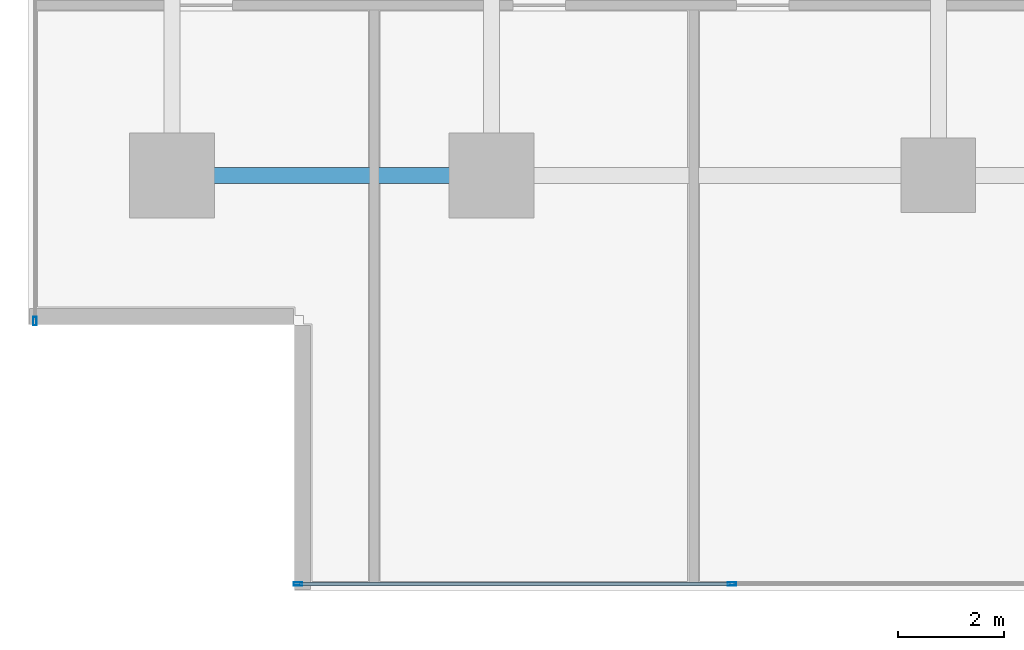
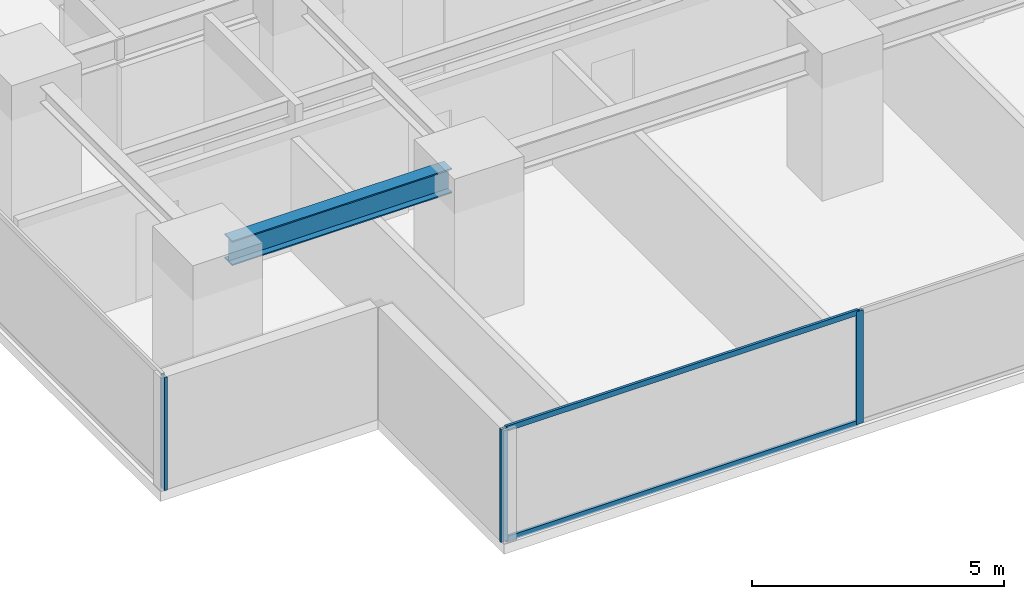
# One storey, part 2 of 37: 5 members, 1 beam, 2 elements without a shape of their own.
"""IFC4 building model written with IfcOpenShell, lengths in metres."""

from ifc_helpers import new_model, si_unit, direction, frame, origin, origin_2d, place, context, subcontext, project, spatial, hollow_rectangle, i_section, extrude, source, transform, mapped, material, layer, layer_set, material_profile, profile_set, type_object, element, aggregate, save


model = new_model("IFC4")

# Units and contexts
model_context = context("Model", 3, precision=1e-05, world=origin(), true_north=direction((0.0, 1.0)))
body_context = subcontext(model_context, "Body", "Model", "MODEL_VIEW")
ifc_project = project(units=[si_unit("LENGTHUNIT", "METRE"), si_unit("AREAUNIT", "SQUARE_METRE"), si_unit("VOLUMEUNIT", "CUBIC_METRE"), si_unit("PLANEANGLEUNIT", "RADIAN"), si_unit("MASSUNIT", "GRAM", prefix="KILO")], contexts=[model_context])

# Site, building, storey
site_placement = place(None, origin())
site = spatial("IfcSite", under=ifc_project, at=site_placement, CompositionType="ELEMENT")
building_placement = place(site_placement, origin())
building = spatial("IfcBuilding", under=site, at=building_placement, Name="Sumidabori Civic Tower", CompositionType="ELEMENT")
storey_placement = place(building_placement, frame((0.0, 0.0, 117.199951171875)))
storey = spatial("IfcBuildingStorey", under=building, at=storey_placement, Name="L30", CompositionType="ELEMENT", Elevation=117.199951171875)

# Beam
ifc_material_1 = material(Name="Steel SN490", Category="steel")
ifc_material_profile_1 = material_profile(ifc_material_1, i_section(OverallWidth=0.300048828125, OverallDepth=0.60009765625, WebThickness=0.015380859375, FlangeThickness=0.030029296875, at=origin_2d()), Name="HE 600 B")
ifc_profile_set_1 = profile_set([ifc_material_profile_1], Name="Steel SN490")
beam_type = type_object("IfcBeamType", Name="BM-GIRD-600", PredefinedType="BEAM", material=ifc_profile_set_1)
shared_shape_1 = source(origin(), body_context, "Body", "SweptSolid", [
    extrude(i_section(OverallWidth=0.300048828125, OverallDepth=0.60009765625, WebThickness=0.015380859375, FlangeThickness=0.030029296875, at=origin_2d()), origin(), (0.0, 0.0, 1.0), 5.0400390625),
])
beam_placement = place(storey_placement, frame((-22.320068359375, -18.0, 3.06005859375), z_axis=(1.0, 0.0, 0.0), x_axis=(0.0, 1.0, 0.0)))
element("IfcBeam", 1, at=beam_placement, inside=storey, type_object=beam_type, Name="Primary Girder L30 GX-01", PredefinedType="BEAM", context=body_context, shape_type="MappedRepresentation", body=[
    mapped(shared_shape_1, transform((0.0, 0.0, 0.0), x_axis=(1.0, 0.0, 0.0), y_axis=(0.0, 1.0, 0.0), z_axis=(0.0, 0.0, 1.0), scale=1.0)),
])

# Curtain wall, members
ifc_material_2 = material(Name="Anodised Bronze Aluminium AW-6063-T6", Category="aluminium")
ifc_layer = layer(ifc_material_2, 0.179931640625, Name="Anodised Bronze Aluminium AW-6063-T6")
ifc_layer_set = layer_set([ifc_layer], Name="Anodised Bronze Aluminium AW-6063-T6")
curtain_wall_type = type_object("IfcCurtainWallType", Name="CW-SYS-3", PredefinedType="NOTDEFINED", material=ifc_layer_set)
curtain_wall_1_placement = place(storey_placement, origin())
curtain_wall_1 = element("IfcCurtainWall", 2, at=curtain_wall_1_placement, inside=storey, type_object=curtain_wall_type, Name="Curtain Wall CW:L30:R01", PredefinedType="NOTDEFINED")
ifc_material_profile_2 = material_profile(ifc_material_2, hollow_rectangle(XDim=0.06494140625, YDim=0.159912109375, WallThickness=0.0048828125, at=origin_2d()), Name="ALU MULLION 160x65")
ifc_profile_set_2 = profile_set([ifc_material_profile_2], Name="Anodised Bronze Aluminium AW-6063-T6")
member_type_1 = type_object("IfcMemberType", Name="CW-MUL-160", PredefinedType="MULLION", material=ifc_profile_set_2)
shared_shape_2 = source(origin(), body_context, "Body", "SweptSolid", [
    extrude(hollow_rectangle(XDim=0.06494140625, YDim=0.159912109375, WallThickness=0.0048828125, at=origin_2d()), origin(), (0.0, 0.0, 1.0), 2.739990234375),
])
member_1_placement = place(storey_placement, frame((-20.4375, -25.679931640625, 0.0), z_axis=(0.0, 0.0, 1.0), x_axis=(0.0, 1.0, 0.0)))
member_1 = element("IfcMember", 3, at=member_1_placement, type_object=member_type_1, Name="CW-3 mullion 1", PredefinedType="MULLION", context=body_context, shape_type="MappedRepresentation", body=[
    mapped(shared_shape_2, transform((0.0, 0.0, 0.0), x_axis=(1.0, 0.0, 0.0), y_axis=(0.0, 1.0, 0.0), z_axis=(0.0, 0.0, 1.0), scale=1.0)),
])
member_2_placement = place(storey_placement, frame((-12.281982421875, -25.679931640625, 0.0), z_axis=(0.0, 0.0, 1.0), x_axis=(0.0, 1.0, 0.0)))
member_2 = element("IfcMember", 4, at=member_2_placement, type_object=member_type_1, Name="CW-3 mullion 2", PredefinedType="MULLION", context=body_context, shape_type="MappedRepresentation", body=[
    mapped(shared_shape_2, transform((0.0, 0.0, 0.0), x_axis=(1.0, 0.0, 0.0), y_axis=(0.0, 1.0, 0.0), z_axis=(0.0, 0.0, 1.0), scale=1.0)),
])

# Curtain wall, member
curtain_wall_2_placement = place(storey_placement, origin())
curtain_wall_2 = element("IfcCurtainWall", 5, at=curtain_wall_2_placement, inside=storey, type_object=curtain_wall_type, Name="Curtain Wall CW:L30:R10", PredefinedType="NOTDEFINED")
member_3_placement = place(storey_placement, frame((-25.3798828125, -20.737548828125, 0.0), z_axis=(0.0, 0.0, 1.0), x_axis=(1.0, 0.0, 0.0)))
member_3 = element("IfcMember", 6, at=member_3_placement, type_object=member_type_1, Name="CW-3 mullion 6", PredefinedType="MULLION", context=body_context, shape_type="MappedRepresentation", body=[
    mapped(shared_shape_2, transform((0.0, 0.0, 0.0), x_axis=(1.0, 0.0, 0.0), y_axis=(0.0, 1.0, 0.0), z_axis=(0.0, 0.0, 1.0), scale=1.0)),
])
aggregate(curtain_wall_2, [member_3])

# Member
ifc_material_profile_3 = material_profile(ifc_material_2, hollow_rectangle(XDim=0.06005859375, YDim=0.1298828125, WallThickness=0.0048828125, at=origin_2d()), Name="ALU TRANSOM 130x60")
ifc_profile_set_3 = profile_set([ifc_material_profile_3], Name="Anodised Bronze Aluminium AW-6063-T6")
member_type_2 = type_object("IfcMemberType", Name="CW-TRN-130", PredefinedType="USERDEFINED", material=ifc_profile_set_3)
shared_shape_3 = source(origin(), body_context, "Body", "SweptSolid", [
    extrude(hollow_rectangle(XDim=0.06005859375, YDim=0.1298828125, WallThickness=0.0048828125, at=origin_2d()), origin(), (0.0, 0.0, 1.0), 8.090576171875),
])
member_4_placement = place(storey_placement, frame((-20.405029296875, -25.679931640625, 0.030029296875), z_axis=(1.0, 0.0, 0.0), x_axis=(0.0, 1.0, 0.0)))
member_4 = element("IfcMember", 7, at=member_4_placement, type_object=member_type_2, Name="CW-3 transom 1.1", ObjectType="TRANSOM", PredefinedType="USERDEFINED", context=body_context, shape_type="MappedRepresentation", body=[
    mapped(shared_shape_3, transform((0.0, 0.0, 0.0), x_axis=(1.0, 0.0, 0.0), y_axis=(0.0, 1.0, 0.0), z_axis=(0.0, 0.0, 1.0), scale=1.0)),
])

member_5_placement = place(storey_placement, frame((-20.405029296875, -25.679931640625, 2.7099609375), z_axis=(1.0, 0.0, 0.0), x_axis=(0.0, 1.0, 0.0)))
member_5 = element("IfcMember", 8, at=member_5_placement, type_object=member_type_2, Name="CW-3 transom 1.2", ObjectType="TRANSOM", PredefinedType="USERDEFINED", context=body_context, shape_type="MappedRepresentation", body=[
    mapped(shared_shape_3, transform((0.0, 0.0, 0.0), x_axis=(1.0, 0.0, 0.0), y_axis=(0.0, 1.0, 0.0), z_axis=(0.0, 0.0, 1.0), scale=1.0)),
])

aggregate(curtain_wall_1, [member_1, member_2, member_4, member_5])

save(model, "model.ifc")
